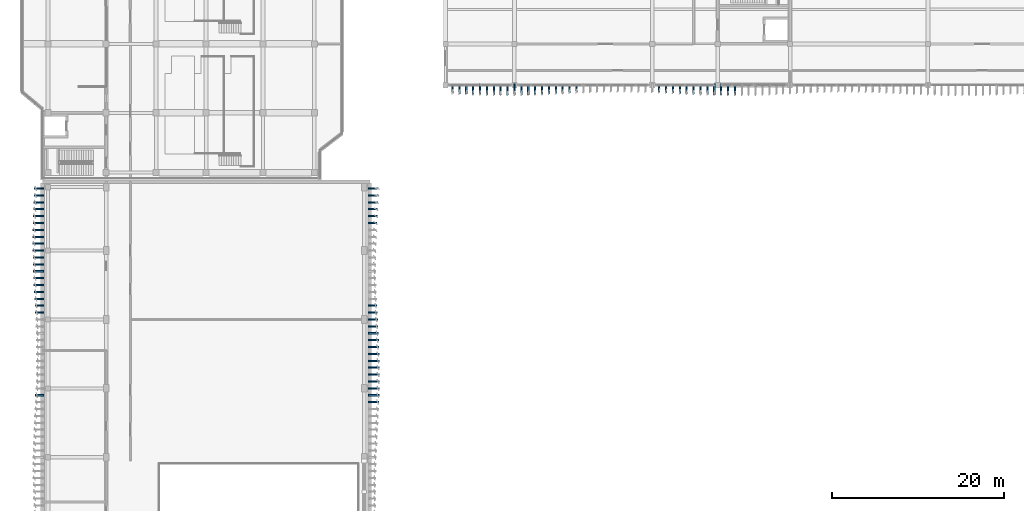
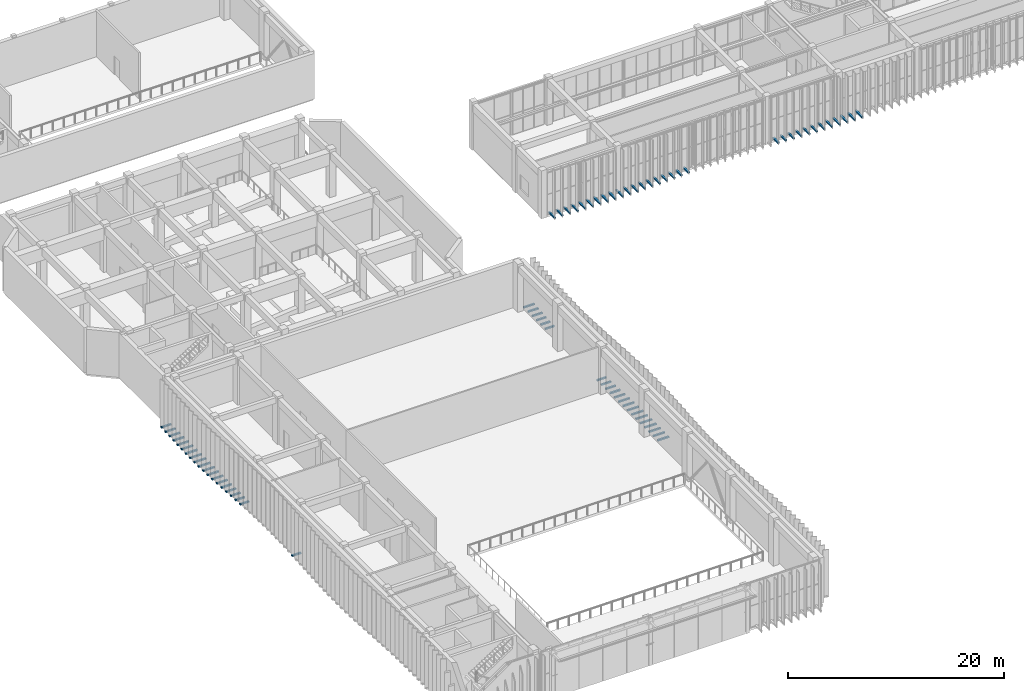
# One storey, part 48 of 64: 72 discrete accessories.
"""IFC4 building model written with IfcOpenShell, lengths in metres."""

from ifc_helpers import new_model, si_unit, direction, frame, origin, origin_2d, place, context, subcontext, project, spatial, rectangle, extrude, material, type_object, element, save


model = new_model("IFC4")

# Units and contexts
model_context = context("Model", 3, precision=1e-05, world=origin(), true_north=direction((0.0, 1.0)))
body_context = subcontext(model_context, "Body", "Model", "MODEL_VIEW")
ifc_project = project(units=[si_unit("LENGTHUNIT", "METRE"), si_unit("AREAUNIT", "SQUARE_METRE"), si_unit("VOLUMEUNIT", "CUBIC_METRE"), si_unit("PLANEANGLEUNIT", "RADIAN"), si_unit("MASSUNIT", "GRAM", prefix="KILO")], contexts=[model_context])

# Site, building, storey
site_placement = place(None, origin())
site = spatial("IfcSite", under=ifc_project, at=site_placement, CompositionType="ELEMENT")
building_placement = place(site_placement, origin())
building = spatial("IfcBuilding", under=site, at=building_placement, Name="Cinchona Park Media Centre", CompositionType="ELEMENT")
storey_placement = place(building_placement, frame((0.0, 0.0, 10.199951171875)))
storey = spatial("IfcBuildingStorey", under=building, at=storey_placement, Name="L02", CompositionType="ELEMENT", Elevation=10.199951171875)

# Discrete accessories
ifc_material = material(Name="Steel S355", Category="steel")
discrete_accessory_type = type_object("IfcDiscreteAccessoryType", Name="BRACKET-BRK01", PredefinedType="BRACKET", material=ifc_material)
discrete_accessory_1_placement = place(storey_placement, frame((7.614990234375, 62.800048828125, 0.0400390625), z_axis=(0.0, 0.0, 1.0), x_axis=(0.0, -1.0, 0.0)))
element("IfcDiscreteAccessory", 1, at=discrete_accessory_1_placement, inside=storey, type_object=discrete_accessory_type, Name="Facade Fin Outrigger Bracket L02", PredefinedType="BRACKET", context=body_context, shape_type="SweptSolid", body=[
    extrude(rectangle(XDim=0.179931640625, YDim=1.090087890625, at=origin_2d()), origin(), (0.0, 0.0, 1.0), 0.159912109375),
])
discrete_accessory_2_placement = place(storey_placement, frame((7.594970703125, 62.0, 0.0400390625), z_axis=(0.0, 0.0, 1.0), x_axis=(0.0, -1.0, 0.0)))
element("IfcDiscreteAccessory", 2, at=discrete_accessory_2_placement, inside=storey, type_object=discrete_accessory_type, Name="Facade Fin Outrigger Bracket L02", PredefinedType="BRACKET", context=body_context, shape_type="SweptSolid", body=[
    extrude(rectangle(XDim=0.179931640625, YDim=1.12890625, at=origin_2d()), origin(), (0.0, 0.0, 1.0), 0.159912109375),
])
discrete_accessory_3_placement = place(storey_placement, frame((7.576904296875, 61.199951171875, 0.0400390625), z_axis=(0.0, 0.0, 1.0), x_axis=(0.0, -1.0, 0.0)))
element("IfcDiscreteAccessory", 3, at=discrete_accessory_3_placement, inside=storey, type_object=discrete_accessory_type, Name="Facade Fin Outrigger Bracket L02", PredefinedType="BRACKET", context=body_context, shape_type="SweptSolid", body=[
    extrude(rectangle(XDim=0.179931640625, YDim=1.166015625, at=origin_2d()), origin(), (0.0, 0.0, 1.0), 0.159912109375),
])
discrete_accessory_4_placement = place(storey_placement, frame((7.56005859375, 60.39990234375, 0.0400390625), z_axis=(0.0, 0.0, 1.0), x_axis=(0.0, -1.0, 0.0)))
element("IfcDiscreteAccessory", 4, at=discrete_accessory_4_placement, inside=storey, type_object=discrete_accessory_type, Name="Facade Fin Outrigger Bracket L02", PredefinedType="BRACKET", context=body_context, shape_type="SweptSolid", body=[
    extrude(rectangle(XDim=0.179931640625, YDim=1.199951171875, at=origin_2d()), origin(), (0.0, 0.0, 1.0), 0.159912109375),
])
discrete_accessory_5_placement = place(storey_placement, frame((7.5458984375, 59.60009765625, 0.0400390625), z_axis=(0.0, 0.0, 1.0), x_axis=(0.0, -1.0, 0.0)))
element("IfcDiscreteAccessory", 5, at=discrete_accessory_5_placement, inside=storey, type_object=discrete_accessory_type, Name="Facade Fin Outrigger Bracket L02", PredefinedType="BRACKET", context=body_context, shape_type="SweptSolid", body=[
    extrude(rectangle(XDim=0.179931640625, YDim=1.22900390625, at=origin_2d()), origin(), (0.0, 0.0, 1.0), 0.159912109375),
])
discrete_accessory_6_placement = place(storey_placement, frame((7.533935546875, 58.800048828125, 0.0400390625), z_axis=(0.0, 0.0, 1.0), x_axis=(0.0, -1.0, 0.0)))
element("IfcDiscreteAccessory", 6, at=discrete_accessory_6_placement, inside=storey, type_object=discrete_accessory_type, Name="Facade Fin Outrigger Bracket L02", PredefinedType="BRACKET", context=body_context, shape_type="SweptSolid", body=[
    extrude(rectangle(XDim=0.179931640625, YDim=1.251953125, at=origin_2d()), origin(), (0.0, 0.0, 1.0), 0.159912109375),
])
discrete_accessory_7_placement = place(storey_placement, frame((7.52587890625, 58.0, 0.0400390625), z_axis=(0.0, 0.0, 1.0), x_axis=(0.0, -1.0, 0.0)))
element("IfcDiscreteAccessory", 7, at=discrete_accessory_7_placement, inside=storey, type_object=discrete_accessory_type, Name="Facade Fin Outrigger Bracket L02", PredefinedType="BRACKET", context=body_context, shape_type="SweptSolid", body=[
    extrude(rectangle(XDim=0.179931640625, YDim=1.26806640625, at=origin_2d()), origin(), (0.0, 0.0, 1.0), 0.159912109375),
])
discrete_accessory_8_placement = place(storey_placement, frame((7.52099609375, 57.199951171875, 0.0400390625), z_axis=(0.0, 0.0, 1.0), x_axis=(0.0, -1.0, 0.0)))
element("IfcDiscreteAccessory", 8, at=discrete_accessory_8_placement, inside=storey, type_object=discrete_accessory_type, Name="Facade Fin Outrigger Bracket L02", PredefinedType="BRACKET", context=body_context, shape_type="SweptSolid", body=[
    extrude(rectangle(XDim=0.179931640625, YDim=1.278076171875, at=origin_2d()), origin(), (0.0, 0.0, 1.0), 0.159912109375),
])
discrete_accessory_9_placement = place(storey_placement, frame((7.52001953125, 56.39990234375, 0.0400390625), z_axis=(0.0, 0.0, 1.0), x_axis=(0.0, -1.0, 0.0)))
element("IfcDiscreteAccessory", 9, at=discrete_accessory_9_placement, inside=storey, type_object=discrete_accessory_type, Name="Facade Fin Outrigger Bracket L02", PredefinedType="BRACKET", context=body_context, shape_type="SweptSolid", body=[
    extrude(rectangle(XDim=0.179931640625, YDim=1.280029296875, at=origin_2d()), origin(), (0.0, 0.0, 1.0), 0.159912109375),
])
discrete_accessory_10_placement = place(storey_placement, frame((7.52294921875, 55.60009765625, 0.0400390625), z_axis=(0.0, 0.0, 1.0), x_axis=(0.0, -1.0, 0.0)))
element("IfcDiscreteAccessory", 10, at=discrete_accessory_10_placement, inside=storey, type_object=discrete_accessory_type, Name="Facade Fin Outrigger Bracket L02", PredefinedType="BRACKET", context=body_context, shape_type="SweptSolid", body=[
    extrude(rectangle(XDim=0.179931640625, YDim=1.27392578125, at=origin_2d()), origin(), (0.0, 0.0, 1.0), 0.159912109375),
])
discrete_accessory_11_placement = place(storey_placement, frame((7.529052734375, 54.800048828125, 0.0400390625), z_axis=(0.0, 0.0, 1.0), x_axis=(0.0, -1.0, 0.0)))
element("IfcDiscreteAccessory", 11, at=discrete_accessory_11_placement, inside=storey, type_object=discrete_accessory_type, Name="Facade Fin Outrigger Bracket L02", PredefinedType="BRACKET", context=body_context, shape_type="SweptSolid", body=[
    extrude(rectangle(XDim=0.179931640625, YDim=1.260986328125, at=origin_2d()), origin(), (0.0, 0.0, 1.0), 0.159912109375),
])
discrete_accessory_12_placement = place(storey_placement, frame((7.5390625, 54.0, 0.0400390625), z_axis=(0.0, 0.0, 1.0), x_axis=(0.0, -1.0, 0.0)))
element("IfcDiscreteAccessory", 12, at=discrete_accessory_12_placement, inside=storey, type_object=discrete_accessory_type, Name="Facade Fin Outrigger Bracket L02", PredefinedType="BRACKET", context=body_context, shape_type="SweptSolid", body=[
    extrude(rectangle(XDim=0.179931640625, YDim=1.240966796875, at=origin_2d()), origin(), (0.0, 0.0, 1.0), 0.159912109375),
])
discrete_accessory_13_placement = place(storey_placement, frame((7.552978515625, 53.199951171875, 0.0400390625), z_axis=(0.0, 0.0, 1.0), x_axis=(0.0, -1.0, 0.0)))
element("IfcDiscreteAccessory", 13, at=discrete_accessory_13_placement, inside=storey, type_object=discrete_accessory_type, Name="Facade Fin Outrigger Bracket L02", PredefinedType="BRACKET", context=body_context, shape_type="SweptSolid", body=[
    extrude(rectangle(XDim=0.179931640625, YDim=1.215087890625, at=origin_2d()), origin(), (0.0, 0.0, 1.0), 0.159912109375),
])
discrete_accessory_14_placement = place(storey_placement, frame((7.568115234375, 52.39990234375, 0.0400390625), z_axis=(0.0, 0.0, 1.0), x_axis=(0.0, -1.0, 0.0)))
element("IfcDiscreteAccessory", 14, at=discrete_accessory_14_placement, inside=storey, type_object=discrete_accessory_type, Name="Facade Fin Outrigger Bracket L02", PredefinedType="BRACKET", context=body_context, shape_type="SweptSolid", body=[
    extrude(rectangle(XDim=0.179931640625, YDim=1.18408203125, at=origin_2d()), origin(), (0.0, 0.0, 1.0), 0.159912109375),
])
discrete_accessory_15_placement = place(storey_placement, frame((7.5859375, 51.60009765625, 0.0400390625), z_axis=(0.0, 0.0, 1.0), x_axis=(0.0, -1.0, 0.0)))
element("IfcDiscreteAccessory", 15, at=discrete_accessory_15_placement, inside=storey, type_object=discrete_accessory_type, Name="Facade Fin Outrigger Bracket L02", PredefinedType="BRACKET", context=body_context, shape_type="SweptSolid", body=[
    extrude(rectangle(XDim=0.179931640625, YDim=1.14794921875, at=origin_2d()), origin(), (0.0, 0.0, 1.0), 0.159912109375),
])
discrete_accessory_16_placement = place(storey_placement, frame((7.60498046875, 50.800048828125, 0.0400390625), z_axis=(0.0, 0.0, 1.0), x_axis=(0.0, -1.0, 0.0)))
element("IfcDiscreteAccessory", 16, at=discrete_accessory_16_placement, inside=storey, type_object=discrete_accessory_type, Name="Facade Fin Outrigger Bracket L02", PredefinedType="BRACKET", context=body_context, shape_type="SweptSolid", body=[
    extrude(rectangle(XDim=0.179931640625, YDim=1.110107421875, at=origin_2d()), origin(), (0.0, 0.0, 1.0), 0.159912109375),
])
discrete_accessory_17_placement = place(storey_placement, frame((7.625, 50.0, 0.0400390625), z_axis=(0.0, 0.0, 1.0), x_axis=(0.0, -1.0, 0.0)))
element("IfcDiscreteAccessory", 17, at=discrete_accessory_17_placement, inside=storey, type_object=discrete_accessory_type, Name="Facade Fin Outrigger Bracket L02", PredefinedType="BRACKET", context=body_context, shape_type="SweptSolid", body=[
    extrude(rectangle(XDim=0.179931640625, YDim=1.070068359375, at=origin_2d()), origin(), (0.0, 0.0, 1.0), 0.159912109375),
])
discrete_accessory_18_placement = place(storey_placement, frame((7.64501953125, 49.199951171875, 0.0400390625), z_axis=(0.0, 0.0, 1.0), x_axis=(0.0, -1.0, 0.0)))
element("IfcDiscreteAccessory", 18, at=discrete_accessory_18_placement, inside=storey, type_object=discrete_accessory_type, Name="Facade Fin Outrigger Bracket L02", PredefinedType="BRACKET", context=body_context, shape_type="SweptSolid", body=[
    extrude(rectangle(XDim=0.179931640625, YDim=1.030029296875, at=origin_2d()), origin(), (0.0, 0.0, 1.0), 0.159912109375),
])
discrete_accessory_19_placement = place(storey_placement, frame((7.6640625, 48.39990234375, 0.0400390625), z_axis=(0.0, 0.0, 1.0), x_axis=(0.0, -1.0, 0.0)))
element("IfcDiscreteAccessory", 19, at=discrete_accessory_19_placement, inside=storey, type_object=discrete_accessory_type, Name="Facade Fin Outrigger Bracket L02", PredefinedType="BRACKET", context=body_context, shape_type="SweptSolid", body=[
    extrude(rectangle(XDim=0.179931640625, YDim=0.991943359375, at=origin_2d()), origin(), (0.0, 0.0, 1.0), 0.159912109375),
])
discrete_accessory_20_placement = place(storey_placement, frame((7.673095703125, 38.800048828125, 0.0400390625), z_axis=(0.0, 0.0, 1.0), x_axis=(0.0, -1.0, 0.0)))
element("IfcDiscreteAccessory", 20, at=discrete_accessory_20_placement, inside=storey, type_object=discrete_accessory_type, Name="Facade Fin Outrigger Bracket L02", PredefinedType="BRACKET", context=body_context, shape_type="SweptSolid", body=[
    extrude(rectangle(XDim=0.179931640625, YDim=0.97412109375, at=origin_2d()), origin(), (0.0, 0.0, 1.0), 0.159912109375),
])
discrete_accessory_21_placement = place(storey_placement, frame((46.4541015625, 38.0, 0.0400390625), z_axis=(0.0, 0.0, 1.0), x_axis=(0.0, 1.0, 0.0)))
element("IfcDiscreteAccessory", 21, at=discrete_accessory_21_placement, inside=storey, type_object=discrete_accessory_type, Name="Facade Fin Outrigger Bracket L02", PredefinedType="BRACKET", context=body_context, shape_type="SweptSolid", body=[
    extrude(rectangle(XDim=0.179931640625, YDim=1.22900390625, at=origin_2d()), origin(), (0.0, 0.0, 1.0), 0.159912109375),
])
discrete_accessory_22_placement = place(storey_placement, frame((46.466064453125, 38.800048828125, 0.0400390625), z_axis=(0.0, 0.0, 1.0), x_axis=(0.0, 1.0, 0.0)))
element("IfcDiscreteAccessory", 22, at=discrete_accessory_22_placement, inside=storey, type_object=discrete_accessory_type, Name="Facade Fin Outrigger Bracket L02", PredefinedType="BRACKET", context=body_context, shape_type="SweptSolid", body=[
    extrude(rectangle(XDim=0.179931640625, YDim=1.251953125, at=origin_2d()), origin(), (0.0, 0.0, 1.0), 0.159912109375),
])
discrete_accessory_23_placement = place(storey_placement, frame((46.47412109375, 39.60009765625, 0.0400390625), z_axis=(0.0, 0.0, 1.0), x_axis=(0.0, 1.0, 0.0)))
element("IfcDiscreteAccessory", 23, at=discrete_accessory_23_placement, inside=storey, type_object=discrete_accessory_type, Name="Facade Fin Outrigger Bracket L02", PredefinedType="BRACKET", context=body_context, shape_type="SweptSolid", body=[
    extrude(rectangle(XDim=0.179931640625, YDim=1.26806640625, at=origin_2d()), origin(), (0.0, 0.0, 1.0), 0.159912109375),
])
discrete_accessory_24_placement = place(storey_placement, frame((46.47900390625, 40.39990234375, 0.0400390625), z_axis=(0.0, 0.0, 1.0), x_axis=(0.0, 1.0, 0.0)))
element("IfcDiscreteAccessory", 24, at=discrete_accessory_24_placement, inside=storey, type_object=discrete_accessory_type, Name="Facade Fin Outrigger Bracket L02", PredefinedType="BRACKET", context=body_context, shape_type="SweptSolid", body=[
    extrude(rectangle(XDim=0.179931640625, YDim=1.278076171875, at=origin_2d()), origin(), (0.0, 0.0, 1.0), 0.159912109375),
])
discrete_accessory_25_placement = place(storey_placement, frame((46.47998046875, 41.199951171875, 0.0400390625), z_axis=(0.0, 0.0, 1.0), x_axis=(0.0, 1.0, 0.0)))
element("IfcDiscreteAccessory", 25, at=discrete_accessory_25_placement, inside=storey, type_object=discrete_accessory_type, Name="Facade Fin Outrigger Bracket L02", PredefinedType="BRACKET", context=body_context, shape_type="SweptSolid", body=[
    extrude(rectangle(XDim=0.179931640625, YDim=1.280029296875, at=origin_2d()), origin(), (0.0, 0.0, 1.0), 0.159912109375),
])
discrete_accessory_26_placement = place(storey_placement, frame((46.47705078125, 42.0, 0.0400390625), z_axis=(0.0, 0.0, 1.0), x_axis=(0.0, 1.0, 0.0)))
element("IfcDiscreteAccessory", 26, at=discrete_accessory_26_placement, inside=storey, type_object=discrete_accessory_type, Name="Facade Fin Outrigger Bracket L02", PredefinedType="BRACKET", context=body_context, shape_type="SweptSolid", body=[
    extrude(rectangle(XDim=0.179931640625, YDim=1.27392578125, at=origin_2d()), origin(), (0.0, 0.0, 1.0), 0.159912109375),
])
discrete_accessory_27_placement = place(storey_placement, frame((46.470947265625, 42.800048828125, 0.0400390625), z_axis=(0.0, 0.0, 1.0), x_axis=(0.0, 1.0, 0.0)))
element("IfcDiscreteAccessory", 27, at=discrete_accessory_27_placement, inside=storey, type_object=discrete_accessory_type, Name="Facade Fin Outrigger Bracket L02", PredefinedType="BRACKET", context=body_context, shape_type="SweptSolid", body=[
    extrude(rectangle(XDim=0.179931640625, YDim=1.260986328125, at=origin_2d()), origin(), (0.0, 0.0, 1.0), 0.159912109375),
])
discrete_accessory_28_placement = place(storey_placement, frame((46.4609375, 43.60009765625, 0.0400390625), z_axis=(0.0, 0.0, 1.0), x_axis=(0.0, 1.0, 0.0)))
element("IfcDiscreteAccessory", 28, at=discrete_accessory_28_placement, inside=storey, type_object=discrete_accessory_type, Name="Facade Fin Outrigger Bracket L02", PredefinedType="BRACKET", context=body_context, shape_type="SweptSolid", body=[
    extrude(rectangle(XDim=0.179931640625, YDim=1.240966796875, at=origin_2d()), origin(), (0.0, 0.0, 1.0), 0.159912109375),
])
discrete_accessory_29_placement = place(storey_placement, frame((46.447021484375, 44.39990234375, 0.0400390625), z_axis=(0.0, 0.0, 1.0), x_axis=(0.0, 1.0, 0.0)))
element("IfcDiscreteAccessory", 29, at=discrete_accessory_29_placement, inside=storey, type_object=discrete_accessory_type, Name="Facade Fin Outrigger Bracket L02", PredefinedType="BRACKET", context=body_context, shape_type="SweptSolid", body=[
    extrude(rectangle(XDim=0.179931640625, YDim=1.215087890625, at=origin_2d()), origin(), (0.0, 0.0, 1.0), 0.159912109375),
])
discrete_accessory_30_placement = place(storey_placement, frame((46.431884765625, 45.199951171875, 0.0400390625), z_axis=(0.0, 0.0, 1.0), x_axis=(0.0, 1.0, 0.0)))
element("IfcDiscreteAccessory", 30, at=discrete_accessory_30_placement, inside=storey, type_object=discrete_accessory_type, Name="Facade Fin Outrigger Bracket L02", PredefinedType="BRACKET", context=body_context, shape_type="SweptSolid", body=[
    extrude(rectangle(XDim=0.179931640625, YDim=1.18408203125, at=origin_2d()), origin(), (0.0, 0.0, 1.0), 0.159912109375),
])
discrete_accessory_31_placement = place(storey_placement, frame((46.4140625, 46.0, 0.0400390625), z_axis=(0.0, 0.0, 1.0), x_axis=(0.0, 1.0, 0.0)))
element("IfcDiscreteAccessory", 31, at=discrete_accessory_31_placement, inside=storey, type_object=discrete_accessory_type, Name="Facade Fin Outrigger Bracket L02", PredefinedType="BRACKET", context=body_context, shape_type="SweptSolid", body=[
    extrude(rectangle(XDim=0.179931640625, YDim=1.14794921875, at=origin_2d()), origin(), (0.0, 0.0, 1.0), 0.159912109375),
])
discrete_accessory_32_placement = place(storey_placement, frame((46.39501953125, 46.800048828125, 0.0400390625), z_axis=(0.0, 0.0, 1.0), x_axis=(0.0, 1.0, 0.0)))
element("IfcDiscreteAccessory", 32, at=discrete_accessory_32_placement, inside=storey, type_object=discrete_accessory_type, Name="Facade Fin Outrigger Bracket L02", PredefinedType="BRACKET", context=body_context, shape_type="SweptSolid", body=[
    extrude(rectangle(XDim=0.179931640625, YDim=1.110107421875, at=origin_2d()), origin(), (0.0, 0.0, 1.0), 0.159912109375),
])
discrete_accessory_33_placement = place(storey_placement, frame((46.375, 47.60009765625, 0.0400390625), z_axis=(0.0, 0.0, 1.0), x_axis=(0.0, 1.0, 0.0)))
element("IfcDiscreteAccessory", 33, at=discrete_accessory_33_placement, inside=storey, type_object=discrete_accessory_type, Name="Facade Fin Outrigger Bracket L02", PredefinedType="BRACKET", context=body_context, shape_type="SweptSolid", body=[
    extrude(rectangle(XDim=0.179931640625, YDim=1.070068359375, at=origin_2d()), origin(), (0.0, 0.0, 1.0), 0.159912109375),
])
discrete_accessory_34_placement = place(storey_placement, frame((46.35498046875, 48.39990234375, 0.0400390625), z_axis=(0.0, 0.0, 1.0), x_axis=(0.0, 1.0, 0.0)))
element("IfcDiscreteAccessory", 34, at=discrete_accessory_34_placement, inside=storey, type_object=discrete_accessory_type, Name="Facade Fin Outrigger Bracket L02", PredefinedType="BRACKET", context=body_context, shape_type="SweptSolid", body=[
    extrude(rectangle(XDim=0.179931640625, YDim=1.030029296875, at=origin_2d()), origin(), (0.0, 0.0, 1.0), 0.159912109375),
])
discrete_accessory_35_placement = place(storey_placement, frame((46.3359375, 49.199951171875, 0.0400390625), z_axis=(0.0, 0.0, 1.0), x_axis=(0.0, 1.0, 0.0)))
element("IfcDiscreteAccessory", 35, at=discrete_accessory_35_placement, inside=storey, type_object=discrete_accessory_type, Name="Facade Fin Outrigger Bracket L02", PredefinedType="BRACKET", context=body_context, shape_type="SweptSolid", body=[
    extrude(rectangle(XDim=0.179931640625, YDim=0.991943359375, at=origin_2d()), origin(), (0.0, 0.0, 1.0), 0.159912109375),
])
discrete_accessory_36_placement = place(storey_placement, frame((46.326904296875, 58.800048828125, 0.0400390625), z_axis=(0.0, 0.0, 1.0), x_axis=(0.0, 1.0, 0.0)))
element("IfcDiscreteAccessory", 36, at=discrete_accessory_36_placement, inside=storey, type_object=discrete_accessory_type, Name="Facade Fin Outrigger Bracket L02", PredefinedType="BRACKET", context=body_context, shape_type="SweptSolid", body=[
    extrude(rectangle(XDim=0.179931640625, YDim=0.97412109375, at=origin_2d()), origin(), (0.0, 0.0, 1.0), 0.159912109375),
])
discrete_accessory_37_placement = place(storey_placement, frame((46.344970703125, 59.60009765625, 0.0400390625), z_axis=(0.0, 0.0, 1.0), x_axis=(0.0, 1.0, 0.0)))
element("IfcDiscreteAccessory", 37, at=discrete_accessory_37_placement, inside=storey, type_object=discrete_accessory_type, Name="Facade Fin Outrigger Bracket L02", PredefinedType="BRACKET", context=body_context, shape_type="SweptSolid", body=[
    extrude(rectangle(XDim=0.179931640625, YDim=1.010986328125, at=origin_2d()), origin(), (0.0, 0.0, 1.0), 0.159912109375),
])
discrete_accessory_38_placement = place(storey_placement, frame((46.364990234375, 60.39990234375, 0.0400390625), z_axis=(0.0, 0.0, 1.0), x_axis=(0.0, 1.0, 0.0)))
element("IfcDiscreteAccessory", 38, at=discrete_accessory_38_placement, inside=storey, type_object=discrete_accessory_type, Name="Facade Fin Outrigger Bracket L02", PredefinedType="BRACKET", context=body_context, shape_type="SweptSolid", body=[
    extrude(rectangle(XDim=0.179931640625, YDim=1.050048828125, at=origin_2d()), origin(), (0.0, 0.0, 1.0), 0.159912109375),
])
discrete_accessory_39_placement = place(storey_placement, frame((46.385009765625, 61.199951171875, 0.0400390625), z_axis=(0.0, 0.0, 1.0), x_axis=(0.0, 1.0, 0.0)))
element("IfcDiscreteAccessory", 39, at=discrete_accessory_39_placement, inside=storey, type_object=discrete_accessory_type, Name="Facade Fin Outrigger Bracket L02", PredefinedType="BRACKET", context=body_context, shape_type="SweptSolid", body=[
    extrude(rectangle(XDim=0.179931640625, YDim=1.090087890625, at=origin_2d()), origin(), (0.0, 0.0, 1.0), 0.159912109375),
])
discrete_accessory_40_placement = place(storey_placement, frame((46.405029296875, 62.0, 0.0400390625), z_axis=(0.0, 0.0, 1.0), x_axis=(0.0, 1.0, 0.0)))
element("IfcDiscreteAccessory", 40, at=discrete_accessory_40_placement, inside=storey, type_object=discrete_accessory_type, Name="Facade Fin Outrigger Bracket L02", PredefinedType="BRACKET", context=body_context, shape_type="SweptSolid", body=[
    extrude(rectangle(XDim=0.179931640625, YDim=1.12890625, at=origin_2d()), origin(), (0.0, 0.0, 1.0), 0.159912109375),
])
discrete_accessory_41_placement = place(storey_placement, frame((46.423095703125, 62.800048828125, 0.0400390625), z_axis=(0.0, 0.0, 1.0), x_axis=(0.0, 1.0, 0.0)))
element("IfcDiscreteAccessory", 41, at=discrete_accessory_41_placement, inside=storey, type_object=discrete_accessory_type, Name="Facade Fin Outrigger Bracket L02", PredefinedType="BRACKET", context=body_context, shape_type="SweptSolid", body=[
    extrude(rectangle(XDim=0.179931640625, YDim=1.166015625, at=origin_2d()), origin(), (0.0, 0.0, 1.0), 0.159912109375),
])
discrete_accessory_42_placement = place(storey_placement, frame((55.60009765625, 74.4150390625, 0.0400390625), z_axis=(0.0, 0.0, 1.0), x_axis=(1.0, 0.0, 0.0)))
element("IfcDiscreteAccessory", 42, at=discrete_accessory_42_placement, inside=storey, type_object=discrete_accessory_type, Name="Facade Fin Outrigger Bracket L02", PredefinedType="BRACKET", context=body_context, shape_type="SweptSolid", body=[
    extrude(rectangle(XDim=0.179931640625, YDim=1.090087890625, at=origin_2d()), origin(), (0.0, 0.0, 1.0), 0.159912109375),
])
discrete_accessory_43_placement = place(storey_placement, frame((56.39990234375, 74.39501953125, 0.0400390625), z_axis=(0.0, 0.0, 1.0), x_axis=(1.0, 0.0, 0.0)))
element("IfcDiscreteAccessory", 43, at=discrete_accessory_43_placement, inside=storey, type_object=discrete_accessory_type, Name="Facade Fin Outrigger Bracket L02", PredefinedType="BRACKET", context=body_context, shape_type="SweptSolid", body=[
    extrude(rectangle(XDim=0.179931640625, YDim=1.12890625, at=origin_2d()), origin(), (0.0, 0.0, 1.0), 0.159912109375),
])
discrete_accessory_44_placement = place(storey_placement, frame((57.199951171875, 74.376953125, 0.0400390625), z_axis=(0.0, 0.0, 1.0), x_axis=(1.0, 0.0, 0.0)))
element("IfcDiscreteAccessory", 44, at=discrete_accessory_44_placement, inside=storey, type_object=discrete_accessory_type, Name="Facade Fin Outrigger Bracket L02", PredefinedType="BRACKET", context=body_context, shape_type="SweptSolid", body=[
    extrude(rectangle(XDim=0.179931640625, YDim=1.166015625, at=origin_2d()), origin(), (0.0, 0.0, 1.0), 0.159912109375),
])
discrete_accessory_45_placement = place(storey_placement, frame((58.0, 74.360107421875, 0.0400390625), z_axis=(0.0, 0.0, 1.0), x_axis=(1.0, 0.0, 0.0)))
element("IfcDiscreteAccessory", 45, at=discrete_accessory_45_placement, inside=storey, type_object=discrete_accessory_type, Name="Facade Fin Outrigger Bracket L02", PredefinedType="BRACKET", context=body_context, shape_type="SweptSolid", body=[
    extrude(rectangle(XDim=0.179931640625, YDim=1.199951171875, at=origin_2d()), origin(), (0.0, 0.0, 1.0), 0.159912109375),
])
discrete_accessory_46_placement = place(storey_placement, frame((58.800048828125, 74.345947265625, 0.0400390625), z_axis=(0.0, 0.0, 1.0), x_axis=(1.0, 0.0, 0.0)))
element("IfcDiscreteAccessory", 46, at=discrete_accessory_46_placement, inside=storey, type_object=discrete_accessory_type, Name="Facade Fin Outrigger Bracket L02", PredefinedType="BRACKET", context=body_context, shape_type="SweptSolid", body=[
    extrude(rectangle(XDim=0.179931640625, YDim=1.22900390625, at=origin_2d()), origin(), (0.0, 0.0, 1.0), 0.159912109375),
])
discrete_accessory_47_placement = place(storey_placement, frame((59.60009765625, 74.333984375, 0.0400390625), z_axis=(0.0, 0.0, 1.0), x_axis=(1.0, 0.0, 0.0)))
element("IfcDiscreteAccessory", 47, at=discrete_accessory_47_placement, inside=storey, type_object=discrete_accessory_type, Name="Facade Fin Outrigger Bracket L02", PredefinedType="BRACKET", context=body_context, shape_type="SweptSolid", body=[
    extrude(rectangle(XDim=0.179931640625, YDim=1.251953125, at=origin_2d()), origin(), (0.0, 0.0, 1.0), 0.159912109375),
])
discrete_accessory_48_placement = place(storey_placement, frame((60.39990234375, 74.325927734375, 0.0400390625), z_axis=(0.0, 0.0, 1.0), x_axis=(1.0, 0.0, 0.0)))
element("IfcDiscreteAccessory", 48, at=discrete_accessory_48_placement, inside=storey, type_object=discrete_accessory_type, Name="Facade Fin Outrigger Bracket L02", PredefinedType="BRACKET", context=body_context, shape_type="SweptSolid", body=[
    extrude(rectangle(XDim=0.179931640625, YDim=1.26806640625, at=origin_2d()), origin(), (0.0, 0.0, 1.0), 0.159912109375),
])
discrete_accessory_49_placement = place(storey_placement, frame((61.199951171875, 74.321044921875, 0.0400390625), z_axis=(0.0, 0.0, 1.0), x_axis=(1.0, 0.0, 0.0)))
element("IfcDiscreteAccessory", 49, at=discrete_accessory_49_placement, inside=storey, type_object=discrete_accessory_type, Name="Facade Fin Outrigger Bracket L02", PredefinedType="BRACKET", context=body_context, shape_type="SweptSolid", body=[
    extrude(rectangle(XDim=0.179931640625, YDim=1.278076171875, at=origin_2d()), origin(), (0.0, 0.0, 1.0), 0.159912109375),
])
discrete_accessory_50_placement = place(storey_placement, frame((62.0, 74.320068359375, 0.0400390625), z_axis=(0.0, 0.0, 1.0), x_axis=(1.0, 0.0, 0.0)))
element("IfcDiscreteAccessory", 50, at=discrete_accessory_50_placement, inside=storey, type_object=discrete_accessory_type, Name="Facade Fin Outrigger Bracket L02", PredefinedType="BRACKET", context=body_context, shape_type="SweptSolid", body=[
    extrude(rectangle(XDim=0.179931640625, YDim=1.280029296875, at=origin_2d()), origin(), (0.0, 0.0, 1.0), 0.159912109375),
])
discrete_accessory_51_placement = place(storey_placement, frame((62.800048828125, 74.322998046875, 0.0400390625), z_axis=(0.0, 0.0, 1.0), x_axis=(1.0, 0.0, 0.0)))
element("IfcDiscreteAccessory", 51, at=discrete_accessory_51_placement, inside=storey, type_object=discrete_accessory_type, Name="Facade Fin Outrigger Bracket L02", PredefinedType="BRACKET", context=body_context, shape_type="SweptSolid", body=[
    extrude(rectangle(XDim=0.179931640625, YDim=1.27392578125, at=origin_2d()), origin(), (0.0, 0.0, 1.0), 0.159912109375),
])
discrete_accessory_52_placement = place(storey_placement, frame((63.60009765625, 74.3291015625, 0.0400390625), z_axis=(0.0, 0.0, 1.0), x_axis=(1.0, 0.0, 0.0)))
element("IfcDiscreteAccessory", 52, at=discrete_accessory_52_placement, inside=storey, type_object=discrete_accessory_type, Name="Facade Fin Outrigger Bracket L02", PredefinedType="BRACKET", context=body_context, shape_type="SweptSolid", body=[
    extrude(rectangle(XDim=0.179931640625, YDim=1.260986328125, at=origin_2d()), origin(), (0.0, 0.0, 1.0), 0.159912109375),
])
discrete_accessory_53_placement = place(storey_placement, frame((64.39990234375, 74.339111328125, 0.0400390625), z_axis=(0.0, 0.0, 1.0), x_axis=(1.0, 0.0, 0.0)))
element("IfcDiscreteAccessory", 53, at=discrete_accessory_53_placement, inside=storey, type_object=discrete_accessory_type, Name="Facade Fin Outrigger Bracket L02", PredefinedType="BRACKET", context=body_context, shape_type="SweptSolid", body=[
    extrude(rectangle(XDim=0.179931640625, YDim=1.240966796875, at=origin_2d()), origin(), (0.0, 0.0, 1.0), 0.159912109375),
])
discrete_accessory_54_placement = place(storey_placement, frame((65.199951171875, 74.35302734375, 0.0400390625), z_axis=(0.0, 0.0, 1.0), x_axis=(1.0, 0.0, 0.0)))
element("IfcDiscreteAccessory", 54, at=discrete_accessory_54_placement, inside=storey, type_object=discrete_accessory_type, Name="Facade Fin Outrigger Bracket L02", PredefinedType="BRACKET", context=body_context, shape_type="SweptSolid", body=[
    extrude(rectangle(XDim=0.179931640625, YDim=1.215087890625, at=origin_2d()), origin(), (0.0, 0.0, 1.0), 0.159912109375),
])
discrete_accessory_55_placement = place(storey_placement, frame((66.0, 74.367919921875, 0.0400390625), z_axis=(0.0, 0.0, 1.0), x_axis=(1.0, 0.0, 0.0)))
element("IfcDiscreteAccessory", 55, at=discrete_accessory_55_placement, inside=storey, type_object=discrete_accessory_type, Name="Facade Fin Outrigger Bracket L02", PredefinedType="BRACKET", context=body_context, shape_type="SweptSolid", body=[
    extrude(rectangle(XDim=0.179931640625, YDim=1.18408203125, at=origin_2d()), origin(), (0.0, 0.0, 1.0), 0.159912109375),
])
discrete_accessory_56_placement = place(storey_placement, frame((66.800048828125, 74.385986328125, 0.0400390625), z_axis=(0.0, 0.0, 1.0), x_axis=(1.0, 0.0, 0.0)))
element("IfcDiscreteAccessory", 56, at=discrete_accessory_56_placement, inside=storey, type_object=discrete_accessory_type, Name="Facade Fin Outrigger Bracket L02", PredefinedType="BRACKET", context=body_context, shape_type="SweptSolid", body=[
    extrude(rectangle(XDim=0.179931640625, YDim=1.14794921875, at=origin_2d()), origin(), (0.0, 0.0, 1.0), 0.159912109375),
])
discrete_accessory_57_placement = place(storey_placement, frame((67.60009765625, 74.405029296875, 0.0400390625), z_axis=(0.0, 0.0, 1.0), x_axis=(1.0, 0.0, 0.0)))
element("IfcDiscreteAccessory", 57, at=discrete_accessory_57_placement, inside=storey, type_object=discrete_accessory_type, Name="Facade Fin Outrigger Bracket L02", PredefinedType="BRACKET", context=body_context, shape_type="SweptSolid", body=[
    extrude(rectangle(XDim=0.179931640625, YDim=1.110107421875, at=origin_2d()), origin(), (0.0, 0.0, 1.0), 0.159912109375),
])
discrete_accessory_58_placement = place(storey_placement, frame((68.39990234375, 74.425048828125, 0.0400390625), z_axis=(0.0, 0.0, 1.0), x_axis=(1.0, 0.0, 0.0)))
element("IfcDiscreteAccessory", 58, at=discrete_accessory_58_placement, inside=storey, type_object=discrete_accessory_type, Name="Facade Fin Outrigger Bracket L02", PredefinedType="BRACKET", context=body_context, shape_type="SweptSolid", body=[
    extrude(rectangle(XDim=0.179931640625, YDim=1.070068359375, at=origin_2d()), origin(), (0.0, 0.0, 1.0), 0.159912109375),
])
discrete_accessory_59_placement = place(storey_placement, frame((69.199951171875, 74.445068359375, 0.0400390625), z_axis=(0.0, 0.0, 1.0), x_axis=(1.0, 0.0, 0.0)))
element("IfcDiscreteAccessory", 59, at=discrete_accessory_59_placement, inside=storey, type_object=discrete_accessory_type, Name="Facade Fin Outrigger Bracket L02", PredefinedType="BRACKET", context=body_context, shape_type="SweptSolid", body=[
    extrude(rectangle(XDim=0.179931640625, YDim=1.030029296875, at=origin_2d()), origin(), (0.0, 0.0, 1.0), 0.159912109375),
])
discrete_accessory_60_placement = place(storey_placement, frame((70.0, 74.464111328125, 0.0400390625), z_axis=(0.0, 0.0, 1.0), x_axis=(1.0, 0.0, 0.0)))
element("IfcDiscreteAccessory", 60, at=discrete_accessory_60_placement, inside=storey, type_object=discrete_accessory_type, Name="Facade Fin Outrigger Bracket L02", PredefinedType="BRACKET", context=body_context, shape_type="SweptSolid", body=[
    extrude(rectangle(XDim=0.179931640625, YDim=0.991943359375, at=origin_2d()), origin(), (0.0, 0.0, 1.0), 0.159912109375),
])
discrete_accessory_61_placement = place(storey_placement, frame((79.60009765625, 74.472900390625, 0.0400390625), z_axis=(0.0, 0.0, 1.0), x_axis=(1.0, 0.0, 0.0)))
element("IfcDiscreteAccessory", 61, at=discrete_accessory_61_placement, inside=storey, type_object=discrete_accessory_type, Name="Facade Fin Outrigger Bracket L02", PredefinedType="BRACKET", context=body_context, shape_type="SweptSolid", body=[
    extrude(rectangle(XDim=0.179931640625, YDim=0.97412109375, at=origin_2d()), origin(), (0.0, 0.0, 1.0), 0.159912109375),
])
discrete_accessory_62_placement = place(storey_placement, frame((80.39990234375, 74.455078125, 0.0400390625), z_axis=(0.0, 0.0, 1.0), x_axis=(1.0, 0.0, 0.0)))
element("IfcDiscreteAccessory", 62, at=discrete_accessory_62_placement, inside=storey, type_object=discrete_accessory_type, Name="Facade Fin Outrigger Bracket L02", PredefinedType="BRACKET", context=body_context, shape_type="SweptSolid", body=[
    extrude(rectangle(XDim=0.179931640625, YDim=1.010986328125, at=origin_2d()), origin(), (0.0, 0.0, 1.0), 0.159912109375),
])
discrete_accessory_63_placement = place(storey_placement, frame((81.199951171875, 74.43505859375, 0.0400390625), z_axis=(0.0, 0.0, 1.0), x_axis=(1.0, 0.0, 0.0)))
element("IfcDiscreteAccessory", 63, at=discrete_accessory_63_placement, inside=storey, type_object=discrete_accessory_type, Name="Facade Fin Outrigger Bracket L02", PredefinedType="BRACKET", context=body_context, shape_type="SweptSolid", body=[
    extrude(rectangle(XDim=0.179931640625, YDim=1.050048828125, at=origin_2d()), origin(), (0.0, 0.0, 1.0), 0.159912109375),
])
discrete_accessory_64_placement = place(storey_placement, frame((82.0, 74.4150390625, 0.0400390625), z_axis=(0.0, 0.0, 1.0), x_axis=(1.0, 0.0, 0.0)))
element("IfcDiscreteAccessory", 64, at=discrete_accessory_64_placement, inside=storey, type_object=discrete_accessory_type, Name="Facade Fin Outrigger Bracket L02", PredefinedType="BRACKET", context=body_context, shape_type="SweptSolid", body=[
    extrude(rectangle(XDim=0.179931640625, YDim=1.090087890625, at=origin_2d()), origin(), (0.0, 0.0, 1.0), 0.159912109375),
])
discrete_accessory_65_placement = place(storey_placement, frame((82.800048828125, 74.39501953125, 0.0400390625), z_axis=(0.0, 0.0, 1.0), x_axis=(1.0, 0.0, 0.0)))
element("IfcDiscreteAccessory", 65, at=discrete_accessory_65_placement, inside=storey, type_object=discrete_accessory_type, Name="Facade Fin Outrigger Bracket L02", PredefinedType="BRACKET", context=body_context, shape_type="SweptSolid", body=[
    extrude(rectangle(XDim=0.179931640625, YDim=1.12890625, at=origin_2d()), origin(), (0.0, 0.0, 1.0), 0.159912109375),
])
discrete_accessory_66_placement = place(storey_placement, frame((83.60009765625, 74.376953125, 0.0400390625), z_axis=(0.0, 0.0, 1.0), x_axis=(1.0, 0.0, 0.0)))
element("IfcDiscreteAccessory", 66, at=discrete_accessory_66_placement, inside=storey, type_object=discrete_accessory_type, Name="Facade Fin Outrigger Bracket L02", PredefinedType="BRACKET", context=body_context, shape_type="SweptSolid", body=[
    extrude(rectangle(XDim=0.179931640625, YDim=1.166015625, at=origin_2d()), origin(), (0.0, 0.0, 1.0), 0.159912109375),
])
discrete_accessory_67_placement = place(storey_placement, frame((84.39990234375, 74.360107421875, 0.0400390625), z_axis=(0.0, 0.0, 1.0), x_axis=(1.0, 0.0, 0.0)))
element("IfcDiscreteAccessory", 67, at=discrete_accessory_67_placement, inside=storey, type_object=discrete_accessory_type, Name="Facade Fin Outrigger Bracket L02", PredefinedType="BRACKET", context=body_context, shape_type="SweptSolid", body=[
    extrude(rectangle(XDim=0.179931640625, YDim=1.199951171875, at=origin_2d()), origin(), (0.0, 0.0, 1.0), 0.159912109375),
])
discrete_accessory_68_placement = place(storey_placement, frame((85.199951171875, 74.345947265625, 0.0400390625), z_axis=(0.0, 0.0, 1.0), x_axis=(1.0, 0.0, 0.0)))
element("IfcDiscreteAccessory", 68, at=discrete_accessory_68_placement, inside=storey, type_object=discrete_accessory_type, Name="Facade Fin Outrigger Bracket L02", PredefinedType="BRACKET", context=body_context, shape_type="SweptSolid", body=[
    extrude(rectangle(XDim=0.179931640625, YDim=1.22900390625, at=origin_2d()), origin(), (0.0, 0.0, 1.0), 0.159912109375),
])
discrete_accessory_69_placement = place(storey_placement, frame((86.0, 74.333984375, 0.0400390625), z_axis=(0.0, 0.0, 1.0), x_axis=(1.0, 0.0, 0.0)))
element("IfcDiscreteAccessory", 69, at=discrete_accessory_69_placement, inside=storey, type_object=discrete_accessory_type, Name="Facade Fin Outrigger Bracket L02", PredefinedType="BRACKET", context=body_context, shape_type="SweptSolid", body=[
    extrude(rectangle(XDim=0.179931640625, YDim=1.251953125, at=origin_2d()), origin(), (0.0, 0.0, 1.0), 0.159912109375),
])
discrete_accessory_70_placement = place(storey_placement, frame((86.800048828125, 74.325927734375, 0.0400390625), z_axis=(0.0, 0.0, 1.0), x_axis=(1.0, 0.0, 0.0)))
element("IfcDiscreteAccessory", 70, at=discrete_accessory_70_placement, inside=storey, type_object=discrete_accessory_type, Name="Facade Fin Outrigger Bracket L02", PredefinedType="BRACKET", context=body_context, shape_type="SweptSolid", body=[
    extrude(rectangle(XDim=0.179931640625, YDim=1.26806640625, at=origin_2d()), origin(), (0.0, 0.0, 1.0), 0.159912109375),
])
discrete_accessory_71_placement = place(storey_placement, frame((87.60009765625, 74.321044921875, 0.0400390625), z_axis=(0.0, 0.0, 1.0), x_axis=(1.0, 0.0, 0.0)))
element("IfcDiscreteAccessory", 71, at=discrete_accessory_71_placement, inside=storey, type_object=discrete_accessory_type, Name="Facade Fin Outrigger Bracket L02", PredefinedType="BRACKET", context=body_context, shape_type="SweptSolid", body=[
    extrude(rectangle(XDim=0.179931640625, YDim=1.278076171875, at=origin_2d()), origin(), (0.0, 0.0, 1.0), 0.159912109375),
])
discrete_accessory_72_placement = place(storey_placement, frame((88.39990234375, 74.320068359375, 0.0400390625), z_axis=(0.0, 0.0, 1.0), x_axis=(1.0, 0.0, 0.0)))
element("IfcDiscreteAccessory", 72, at=discrete_accessory_72_placement, inside=storey, type_object=discrete_accessory_type, Name="Facade Fin Outrigger Bracket L02", PredefinedType="BRACKET", context=body_context, shape_type="SweptSolid", body=[
    extrude(rectangle(XDim=0.179931640625, YDim=1.280029296875, at=origin_2d()), origin(), (0.0, 0.0, 1.0), 0.159912109375),
])

save(model, "model.ifc")
